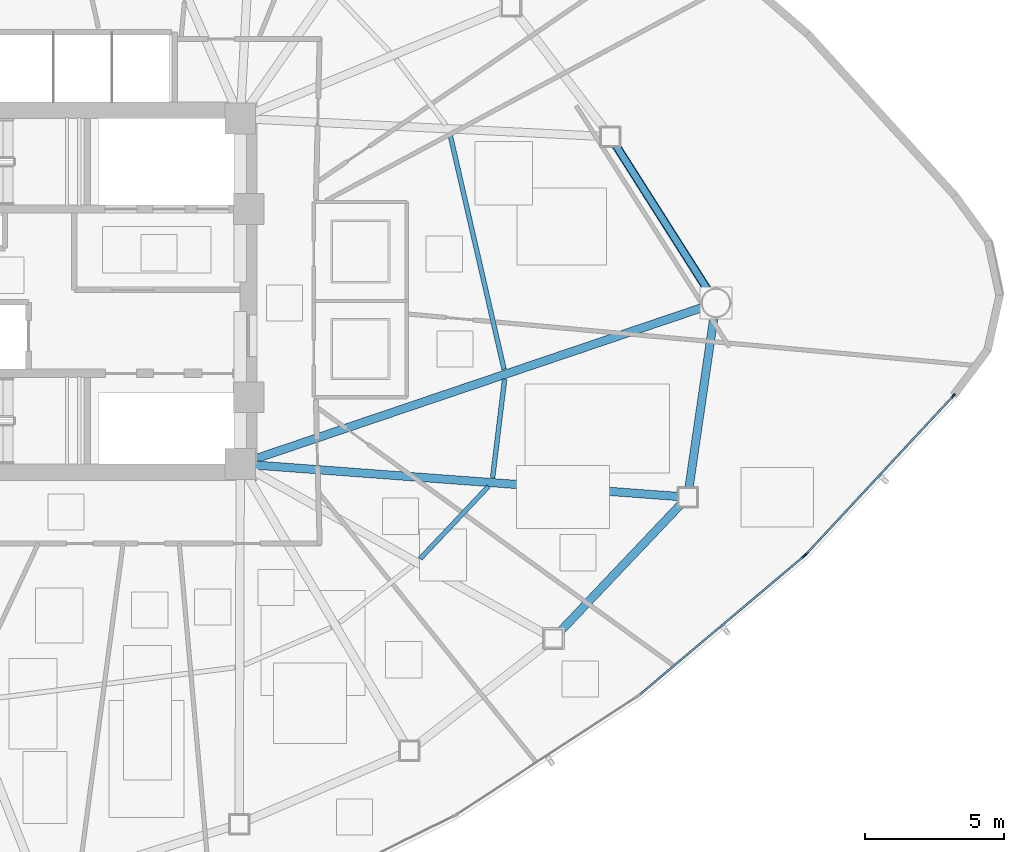
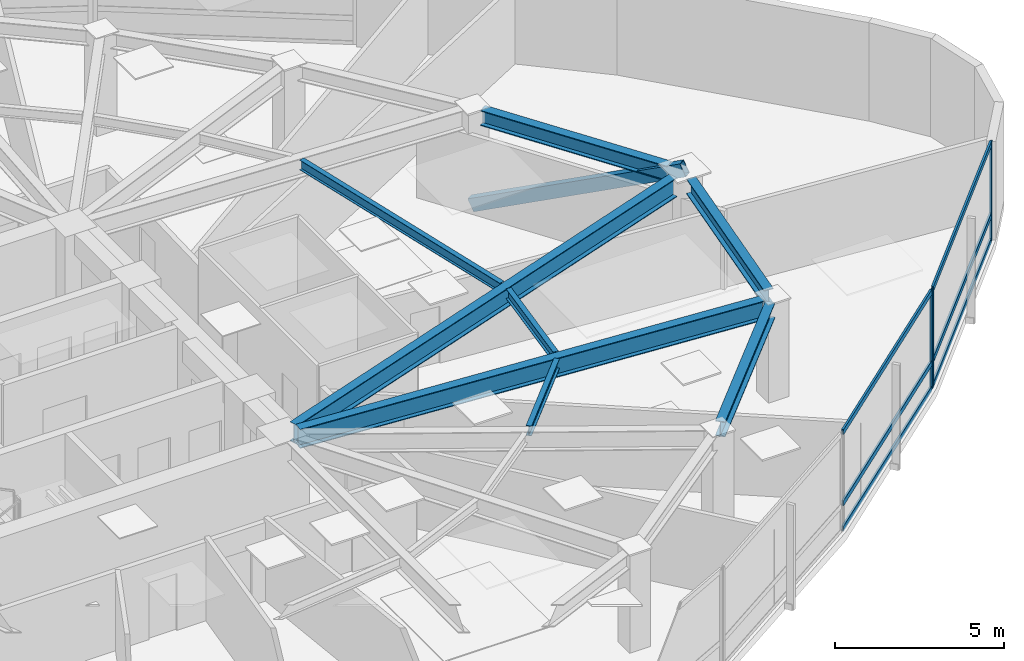
# One storey, part 6 of 18: 10 members, 8 beams, 2 elements without a shape of their own.
"""IFC4 building model written with IfcOpenShell, lengths in metres."""

import ifcopenshell
import ifcopenshell.guid

model = None  # the IFC model being written
_history = None  # IfcOwnerHistory: only IFC2X3 demands one
_inside = {}  # id of a spatial element -> (the spatial element, [elements in it])
_under = {}  # id of a project, library or spatial element -> (it, [spatial elements below it])
_declared = {}  # id of a project -> (the project, [libraries it declares])
_typed = {}  # id of a type object -> (the type object, [elements of that type])
_made_of = {}  # id of a material, layer set ... -> (it, [elements and type objects made of it])


def new_model(schema):
    """Start an empty IFC model of exactly this schema.

    Asked for "IFC4X3", IfcOpenShell would pick the latest addendum, in which some entities
    have other attributes; the version numbers below select the first issue.
    IFC2X3 requires an IfcOwnerHistory on every rooted entity: one is made here for all.
    """
    global model, _history
    if schema == "IFC4X3":
        model = ifcopenshell.file(schema_version=(4, 3, 0, 0))
    else:
        model = ifcopenshell.file(schema=schema)
    _inside.clear()
    _under.clear()
    _declared.clear()
    _typed.clear()
    _made_of.clear()
    _history = None
    if model.schema == "IFC2X3":
        org = make("IfcOrganization", Name="unknown")
        user = make(
            "IfcPersonAndOrganization",
            ThePerson=make("IfcPerson", FamilyName="unknown"),
            TheOrganization=org,
        )
        app = make(
            "IfcApplication",
            ApplicationDeveloper=org,
            Version="unknown",
            ApplicationFullName="unknown",
            ApplicationIdentifier="unknown",
        )
        _history = make(
            "IfcOwnerHistory",
            OwningUser=user,
            OwningApplication=app,
            ChangeAction="ADDED",
            CreationDate=0,
        )
    return model


def make(cls, **values):
    """One entity of the class cls with the attributes given. An attribute that is None is left unset."""
    return model.create_entity(
        cls, **{name: value for name, value in values.items() if value is not None}
    )


def rooted(cls, **values):
    """An entity with a GlobalId (a new one), such as an element, a storey or a relation."""
    return make(cls, GlobalId=ifcopenshell.guid.new(), OwnerHistory=_history, **values)


def si_unit(unit_type, name, prefix=None):
    """IfcSIUnit, for example si_unit("LENGTHUNIT", "METRE", prefix="MILLI")."""
    return make("IfcSIUnit", UnitType=unit_type, Prefix=prefix, Name=name)


def assignment(units):
    """IfcUnitAssignment: the units of a project."""
    return None if units is None else make("IfcUnitAssignment", Units=units)


def point(xyz):
    """IfcCartesianPoint."""
    return None if xyz is None else make("IfcCartesianPoint", Coordinates=xyz)


def direction(xyz):
    """IfcDirection."""
    return None if xyz is None else make("IfcDirection", DirectionRatios=xyz)


def frame(location, z_axis=None, x_axis=None):
    """IfcAxis2Placement3D, a coordinate frame: its origin and axes. An axis left out is left unset."""
    return make(
        "IfcAxis2Placement3D",
        Location=point(location),
        Axis=direction(z_axis),
        RefDirection=direction(x_axis),
    )


def frame_2d(location, x_axis=None):
    """IfcAxis2Placement2D, a coordinate frame in the plane: its origin and x axis."""
    return make(
        "IfcAxis2Placement2D", Location=point(location), RefDirection=direction(x_axis)
    )


def origin():
    """The frame at (0, 0, 0) with its axes left unset."""
    return frame((0.0, 0.0, 0.0))


def origin_2d():
    """The frame at (0, 0) in the plane with its x axis left unset."""
    return frame_2d((0.0, 0.0))


def place(relative_to, where):
    """IfcLocalPlacement: puts the frame where relative to a parent placement (None: the world)."""
    return make(
        "IfcLocalPlacement", PlacementRelTo=relative_to, RelativePlacement=where
    )


def context(
    kind, dimensions, precision=None, world=None, true_north=None, identifier=None
):
    """IfcGeometricRepresentationContext, for example the 3D "Model" context."""
    return make(
        "IfcGeometricRepresentationContext",
        ContextIdentifier=identifier,
        ContextType=kind,
        CoordinateSpaceDimension=dimensions,
        Precision=precision,
        WorldCoordinateSystem=world,
        TrueNorth=true_north,
    )


def subcontext(parent, identifier, kind, view, scale=None):
    """IfcGeometricRepresentationSubContext, for example "Body" below "Model"."""
    return make(
        "IfcGeometricRepresentationSubContext",
        ContextIdentifier=identifier,
        ContextType=kind,
        ParentContext=parent,
        TargetScale=scale,
        TargetView=view,
    )


def project(units=None, contexts=None):
    """IfcProject with its units and contexts."""
    return rooted(
        "IfcProject",
        Name="project",
        RepresentationContexts=contexts,
        UnitsInContext=assignment(units),
    )


def spatial(cls, under=None, at=None, **own):
    """A site, building, storey or space (cls), placed at a placement, below another one or the project."""
    s = rooted(cls, ObjectPlacement=at, **own)
    if under is not None:
        _under.setdefault(under.id(), (under, []))[1].append(s)
    return s


def profile(cls, at=None, kind="AREA", **sizes):
    """A parametric profile (cls). Its sizes go by their IFC names, for example OverallWidth=200.0."""
    return make(cls, ProfileType=kind, Position=at, **sizes)


def hollow_rectangle(**sizes):
    """IfcRectangleHollowProfileDef."""
    return profile("IfcRectangleHollowProfileDef", **sizes)


def i_section(**sizes):
    """IfcIShapeProfileDef."""
    return profile("IfcIShapeProfileDef", **sizes)


def extrude(swept, where, along, depth):
    """IfcExtrudedAreaSolid: the profile swept, set in the frame where, extruded along a direction by depth."""
    return make(
        "IfcExtrudedAreaSolid",
        SweptArea=swept,
        Position=where,
        ExtrudedDirection=direction(along),
        Depth=depth,
    )


def shape(context_of_items, identifier, shape_type, items):
    """IfcShapeRepresentation: the items that make up one representation, for example the "Body"."""
    return make(
        "IfcShapeRepresentation",
        ContextOfItems=context_of_items,
        RepresentationIdentifier=identifier,
        RepresentationType=shape_type,
        Items=items,
    )


def source(mapping_origin, context_of_items, identifier, shape_type, items):
    """IfcRepresentationMap: a shape defined once, which mapped items show again and again."""
    return make(
        "IfcRepresentationMap",
        MappingOrigin=mapping_origin,
        MappedRepresentation=shape(context_of_items, identifier, shape_type, items),
    )


def transform(
    local_origin,
    x_axis=None,
    y_axis=None,
    z_axis=None,
    scale=None,
    scale2=None,
    scale3=None,
    uniform=True,
):
    """IfcCartesianTransformationOperator3D, or its non-uniform kind. x_axis, y_axis, z_axis: its Axis1, 2, 3."""
    if uniform:
        return make(
            "IfcCartesianTransformationOperator3D",
            Axis1=direction(x_axis),
            Axis2=direction(y_axis),
            LocalOrigin=point(local_origin),
            Scale=scale,
            Axis3=direction(z_axis),
        )
    return make(
        "IfcCartesianTransformationOperator3DnonUniform",
        Axis1=direction(x_axis),
        Axis2=direction(y_axis),
        LocalOrigin=point(local_origin),
        Scale=scale,
        Axis3=direction(z_axis),
        Scale2=scale2,
        Scale3=scale3,
    )


def mapped(mapping_source, mapping_target):
    """IfcMappedItem: shows the shape of a source again, moved by a transform."""
    return make(
        "IfcMappedItem", MappingSource=mapping_source, MappingTarget=mapping_target
    )


def material(Name=None, Category=None):
    """IfcMaterial."""
    return make("IfcMaterial", Name=Name, Category=Category)


def layer(
    of_material, thickness, ventilated=None, Name=None, Category=None, Priority=None
):
    """IfcMaterialLayer: one layer of a wall or slab, of a material (None: an air gap)."""
    return make(
        "IfcMaterialLayer",
        Material=of_material,
        LayerThickness=thickness,
        IsVentilated=ventilated,
        Name=Name,
        Category=Category,
        Priority=Priority,
    )


def layer_set(layers, Name=None):
    """IfcMaterialLayerSet."""
    return make("IfcMaterialLayerSet", MaterialLayers=layers, LayerSetName=Name)


def material_profile(
    of_material, cross_section, Name=None, Category=None, Priority=None
):
    """IfcMaterialProfile: a cross section and its material."""
    return make(
        "IfcMaterialProfile",
        Name=Name,
        Material=of_material,
        Profile=cross_section,
        Priority=Priority,
        Category=Category,
    )


def profile_set(profiles, Name=None, composite=None):
    """IfcMaterialProfileSet."""
    return make(
        "IfcMaterialProfileSet",
        Name=Name,
        MaterialProfiles=profiles,
        CompositeProfile=composite,
    )


def made_of(thing, what):
    """Note that an element or type object is made of a material, layer set ...; save() writes the relation."""
    if what is not None:
        _made_of.setdefault(what.id(), (what, []))[1].append(thing)
    return thing


def type_object(cls, material=None, **own):
    """A type object (cls), such as IfcWallType, which elements share."""
    return made_of(rooted(cls, **own), material)


def type_shapes(of_type, sources):
    """Give a type object the sources (RepresentationMaps) that its elements show as mapped items."""
    of_type.RepresentationMaps = sources


def element(
    cls,
    number,
    at=None,
    inside=None,
    cuts=None,
    type_object=None,
    material=None,
    context=None,
    identifier="Body",
    shape_type=None,
    held_by="IfcProductDefinitionShape",
    body=None,
    shapes=None,
    **own,
):
    """One element of the class cls, such as IfcWall. Its Tag is "e" and its number.

    at: its placement. inside: the storey or other place that contains it. cuts: it is an
    opening in that element (IfcRelVoidsElement). A single representation is given by context,
    identifier, shape_type and body (its items); several are given by shapes. held_by: the class
    of the entity that holds the representations. save() writes the other relations.
    """
    e = rooted(cls, Tag="e%d" % number, ObjectPlacement=at, **own)
    if body is not None:
        shapes = [shape(context, identifier, shape_type, body)]
    if shapes is not None:
        e.Representation = make(held_by, Representations=shapes)
    if inside is not None:
        _inside.setdefault(inside.id(), (inside, []))[1].append(e)
    if cuts is not None:
        rooted(
            "IfcRelVoidsElement", RelatingBuildingElement=cuts, RelatedOpeningElement=e
        )
    if type_object is not None:
        _typed.setdefault(type_object.id(), (type_object, []))[1].append(e)
    return made_of(e, material)


def aggregate(whole, parts):
    """IfcRelAggregates: a whole, such as a stair, and the parts it consists of."""
    return rooted("IfcRelAggregates", RelatingObject=whole, RelatedObjects=parts)


def save(model, path):
    """Write the relations noted so far, then the file.

    IfcRelAggregates (storeys below a building ...), IfcRelContainedInSpatialStructure (elements
    in a storey), IfcRelDefinesByType, IfcRelAssociatesMaterial and IfcRelDeclares: one each for
    every whole, place, type object, material and project.
    """
    for whole, parts in _under.values():
        aggregate(whole, parts)
    for where, things in _inside.values():
        rooted(
            "IfcRelContainedInSpatialStructure",
            RelatedElements=things,
            RelatingStructure=where,
        )
    for kind, things in _typed.values():
        rooted("IfcRelDefinesByType", RelatedObjects=things, RelatingType=kind)
    for what, things in _made_of.values():
        rooted("IfcRelAssociatesMaterial", RelatedObjects=things, RelatingMaterial=what)
    for by, libraries in _declared.values():
        rooted("IfcRelDeclares", RelatingContext=by, RelatedDefinitions=libraries)
    model.write(path)


model = new_model("IFC4")

# Units and contexts
model_context = context("Model", 3, precision=1e-05, world=origin(), true_north=direction((0.0, 1.0)))
body_context = subcontext(model_context, "Body", "Model", "MODEL_VIEW")
ifc_project = project(units=[si_unit("LENGTHUNIT", "METRE"), si_unit("AREAUNIT", "SQUARE_METRE"), si_unit("VOLUMEUNIT", "CUBIC_METRE"), si_unit("PLANEANGLEUNIT", "RADIAN"), si_unit("MASSUNIT", "GRAM", prefix="KILO")], contexts=[model_context])

# Site, building, storey
site_placement = place(None, origin())
site = spatial("IfcSite", under=ifc_project, at=site_placement, CompositionType="ELEMENT")
building_placement = place(site_placement, origin())
building = spatial("IfcBuilding", under=site, at=building_placement, Name="Tavelor Broadcast Tower", CompositionType="ELEMENT")
storey_placement = place(building_placement, frame((0.0, 0.0, 157.949951171875)))
storey = spatial("IfcBuildingStorey", under=building, at=storey_placement, Name="L37", CompositionType="ELEMENT", Elevation=157.949951171875)

# Beams
ifc_material_1 = material(Name="Steel S355", Category="steel")
ifc_material_profile_1 = material_profile(ifc_material_1, i_section(OverallWidth=0.169921875, OverallDepth=0.360107421875, WebThickness=0.008056640625, FlangeThickness=0.0126953125, at=origin_2d()), Name="IPE 360")
ifc_profile_set_1 = profile_set([ifc_material_profile_1], Name="Steel S355")
beam_type_1 = type_object("IfcBeamType", Name="Composite Floor Joist T3 IPE 360", PredefinedType="JOIST", material=ifc_profile_set_1)
beam_1_placement = place(storey_placement, frame((63.05859375, 35.39990234375, 3.3701171875), z_axis=(0.686806065531, 0.726840717317, 0.0), x_axis=(-0.726840717317, 0.686806065531, 0.0)))
element("IfcBeam", 1, at=beam_1_placement, inside=storey, type_object=beam_type_1, Name="L37 Secondary Composite Floor Joist 11", PredefinedType="JOIST", context=body_context, shape_type="SweptSolid", body=[
    extrude(i_section(OverallWidth=0.169921875, OverallDepth=0.360107421875, WebThickness=0.008056640625, FlangeThickness=0.0126953125, at=origin_2d()), origin(), (0.0, 0.0, 1.0), 3.573486328125),
])
beam_2_placement = place(storey_placement, frame((65.6591796875, 38.30859375, 3.3701171875), z_axis=(0.120874566199, 0.992667788964, 0.0), x_axis=(-0.992667788964, 0.120874566199, 0.0)))
element("IfcBeam", 2, at=beam_2_placement, inside=storey, type_object=beam_type_1, Name="L37 Secondary Composite Floor Joist 12", PredefinedType="JOIST", context=body_context, shape_type="SweptSolid", body=[
    extrude(i_section(OverallWidth=0.169921875, OverallDepth=0.360107421875, WebThickness=0.008056640625, FlangeThickness=0.0126953125, at=origin_2d()), origin(), (0.0, 0.0, 1.0), 3.556884765625),
])
beam_3_placement = place(storey_placement, frame((66.0703125, 42.1953125, 3.3701171875), z_axis=(-0.224119909946, 0.974561576282, 0.0), x_axis=(-0.974561576282, -0.224119909946, 0.0)))
element("IfcBeam", 3, at=beam_3_placement, inside=storey, type_object=beam_type_1, Name="L37 Secondary Composite Floor Joist 13", PredefinedType="JOIST", context=body_context, shape_type="SweptSolid", body=[
    extrude(i_section(OverallWidth=0.169921875, OverallDepth=0.360107421875, WebThickness=0.008056640625, FlangeThickness=0.0126953125, at=origin_2d()), origin(), (0.0, 0.0, 1.0), 8.6796875),
])
ifc_material_profile_2 = material_profile(ifc_material_1, i_section(OverallWidth=0.300048828125, OverallDepth=0.550048828125, WebThickness=0.014892578125, FlangeThickness=0.029052734375, at=origin_2d()), Name="HEB 550")
ifc_profile_set_2 = profile_set([ifc_material_profile_2], Name="Steel S355")
beam_type_2 = type_object("IfcBeamType", Name="Perimeter Spandrel Beam T3 HEB 550", PredefinedType="SPANDREL", material=ifc_profile_set_2)
beam_4_placement = place(storey_placement, frame((68.073486328125, 32.775390625, 3.275146484375), z_axis=(0.688378130541, 0.72535201757, 0.0), x_axis=(-0.72535201757, 0.688378130541, 0.0)))
element("IfcBeam", 4, at=beam_4_placement, inside=storey, type_object=beam_type_2, Name="L37 Framed-Tube Ring Spandrel 11", PredefinedType="SPANDREL", context=body_context, shape_type="SweptSolid", body=[
    extrude(i_section(OverallWidth=0.300048828125, OverallDepth=0.550048828125, WebThickness=0.014892578125, FlangeThickness=0.029052734375, at=origin_2d()), origin(), (0.0, 0.0, 1.0), 6.32568359375),
])
beam_5_placement = place(storey_placement, frame((72.707763671875, 37.93994140625, 3.275146484375), z_axis=(0.144294035731, 0.989534856007, 0.0), x_axis=(-0.989534856007, 0.144294035731, 0.0)))
element("IfcBeam", 5, at=beam_5_placement, inside=storey, type_object=beam_type_2, Name="L37 Framed-Tube Ring Spandrel 12", PredefinedType="SPANDREL", context=body_context, shape_type="SweptSolid", body=[
    extrude(i_section(OverallWidth=0.300048828125, OverallDepth=0.550048828125, WebThickness=0.014892578125, FlangeThickness=0.029052734375, at=origin_2d()), origin(), (0.0, 0.0, 1.0), 6.19775390625),
])
beam_6_placement = place(storey_placement, frame((73.4013671875, 45.01171875, 3.275146484375), z_axis=(-0.536283466807, 0.844037939449, 0.0), x_axis=(-0.844037939449, -0.536283466807, 0.0)))
element("IfcBeam", 6, at=beam_6_placement, inside=storey, type_object=beam_type_2, Name="L37 Framed-Tube Ring Spandrel 13", PredefinedType="SPANDREL", context=body_context, shape_type="SweptSolid", body=[
    extrude(i_section(OverallWidth=0.300048828125, OverallDepth=0.550048828125, WebThickness=0.014892578125, FlangeThickness=0.029052734375, at=origin_2d()), origin(), (0.0, 0.0, 1.0), 6.21875),
])

# Member
ifc_material_profile_3 = material_profile(ifc_material_1, hollow_rectangle(XDim=0.25, YDim=0.449951171875, WallThickness=0.02001953125, at=origin_2d()), Name="RHS 450x250x20")
ifc_profile_set_3 = profile_set([ifc_material_profile_3], Name="Steel S355")
member_type_1 = type_object("IfcMemberType", Name="Perimeter Tube Brace T3 RHS 450x250x20", PredefinedType="BRACE", material=ifc_profile_set_3)
member_1_placement = place(storey_placement, frame((69.885986328125, 50.544189453125, 0.0), z_axis=(0.479238755177, -0.754205232397, 0.448892729904), x_axis=(0.844021198089, 0.536309814544, 0.0)))
element("IfcMember", 7, at=member_1_placement, inside=storey, type_object=member_type_1, Name="L37 Corner Tube Diagonal Brace 3", PredefinedType="BRACE", context=body_context, shape_type="SweptSolid", body=[
    extrude(hollow_rectangle(XDim=0.25, YDim=0.449951171875, WallThickness=0.02001953125, at=origin_2d()), origin(), (0.0, 0.0, 1.0), 7.908447265625),
])

# Beams
ifc_material_profile_4 = material_profile(ifc_material_1, i_section(OverallWidth=0.300048828125, OverallDepth=0.68994140625, WebThickness=0.014404296875, FlangeThickness=0.027099609375, at=origin_2d()), Name="HEA 700")
ifc_profile_set_4 = profile_set([ifc_material_profile_4], Name="Steel S355")
beam_type_3 = type_object("IfcBeamType", Name="Radial Floor Girder T3 HEA 700", PredefinedType="BEAM", material=ifc_profile_set_4)
beam_7_placement = place(storey_placement, frame((57.126708984375, 38.760986328125, 3.205078125), z_axis=(0.997253617312, -0.074062289721, 0.0), x_axis=(0.074062289721, 0.997253617312, 0.0)))
element("IfcBeam", 8, at=beam_7_placement, inside=storey, type_object=beam_type_3, Name="L37 Radial Primary Floor Girder 12", PredefinedType="BEAM", context=body_context, shape_type="SweptSolid", body=[
    extrude(i_section(OverallWidth=0.300048828125, OverallDepth=0.68994140625, WebThickness=0.014404296875, FlangeThickness=0.027099609375, at=origin_2d()), origin(), (0.0, 0.0, 1.0), 15.2392578125),
])
beam_8_placement = place(storey_placement, frame((57.10009765625, 38.96923828125, 3.205078125), z_axis=(0.947217379582, 0.32059200835, 0.0), x_axis=(-0.32059200835, 0.947217379582, 0.0)))
element("IfcBeam", 9, at=beam_8_placement, inside=storey, type_object=beam_type_3, Name="L37 Radial Primary Floor Girder 13", PredefinedType="BEAM", context=body_context, shape_type="SweptSolid", body=[
    extrude(i_section(OverallWidth=0.300048828125, OverallDepth=0.68994140625, WebThickness=0.014404296875, FlangeThickness=0.027099609375, at=origin_2d()), origin(), (0.0, 0.0, 1.0), 16.987548828125),
])

# Curtain wall, member
ifc_material_2 = material(Name="Architectural Anodized Aluminium", Category="aluminium")
ifc_layer = layer(ifc_material_2, 0.18994140625)
ifc_layer_set = layer_set([ifc_layer], Name="Architectural Anodized Aluminium")
curtain_wall_type = type_object("IfcCurtainWallType", Name="Tower Mid-Zone Acoustic Curtain Wall CW03", PredefinedType="NOTDEFINED", material=ifc_layer_set)
curtain_wall_1_placement = place(storey_placement, origin())
curtain_wall_1 = element("IfcCurtainWall", 10, at=curtain_wall_1_placement, inside=storey, type_object=curtain_wall_type, Name="L37 Curtain Wall CW03 Run 391", PredefinedType="NOTDEFINED")
ifc_material_profile_5 = material_profile(ifc_material_2, hollow_rectangle(XDim=0.068115234375, YDim=0.18994140625, WallThickness=0.02197265625, at=origin_2d()), Name="RHS 68x190x22")
ifc_profile_set_5 = profile_set([ifc_material_profile_5], Name="Architectural Anodized Aluminium")
member_type_2 = type_object("IfcMemberType", Name="CW03 Extruded Aluminium Mullion 68x190", PredefinedType="MULLION", material=ifc_profile_set_5)
shared_shape_1 = source(origin(), body_context, "Body", "SweptSolid", [
    extrude(hollow_rectangle(XDim=0.068115234375, YDim=0.18994140625, WallThickness=0.02197265625, at=origin_2d()), origin(), (0.0, 0.0, 1.0), 3.550048828125),
])
type_shapes(member_type_2, [shared_shape_1])
member_2_placement = place(storey_placement, frame((76.839599609375, 35.494384765625, 0.0), z_axis=(0.0, 0.0, 1.0), x_axis=(-0.644461996266, 0.76463634191, 0.0)))
member_2 = element("IfcMember", 11, at=member_2_placement, type_object=member_type_2, Name="CW03 mullion 2", PredefinedType="MULLION", context=body_context, shape_type="MappedRepresentation", body=[
    mapped(shared_shape_1, transform((0.0, 0.0, 0.0), scale=1.0)),
])

# Curtain wall, members
curtain_wall_2_placement = place(storey_placement, origin())
curtain_wall_2 = element("IfcCurtainWall", 12, at=curtain_wall_2_placement, inside=storey, type_object=curtain_wall_type, Name="L37 Curtain Wall CW03 Run 392", PredefinedType="NOTDEFINED")
member_3_placement = place(storey_placement, frame((76.910400390625, 35.56201171875, 0.0), z_axis=(0.0, 0.0, 1.0), x_axis=(-0.73226132779, 0.681023749823, 0.0)))
member_3 = element("IfcMember", 13, at=member_3_placement, type_object=member_type_2, Name="CW03 mullion 1", PredefinedType="MULLION", context=body_context, shape_type="MappedRepresentation", body=[
    mapped(shared_shape_1, transform((0.0, 0.0, 0.0), scale=1.0)),
])
member_4_placement = place(storey_placement, frame((82.18994140625, 41.23876953125, 0.0), z_axis=(0.0, 0.0, 1.0), x_axis=(-0.73226132779, 0.681023749823, 0.0)))
member_4 = element("IfcMember", 14, at=member_4_placement, type_object=member_type_2, Name="CW03 mullion 2", PredefinedType="MULLION", context=body_context, shape_type="MappedRepresentation", body=[
    mapped(shared_shape_1, transform((0.0, 0.0, 0.0), scale=1.0)),
])

# Member
ifc_material_profile_6 = material_profile(ifc_material_2, hollow_rectangle(XDim=0.068115234375, YDim=0.18994140625, WallThickness=0.02197265625, at=origin_2d()), Name="RHS 68x190x22")
ifc_profile_set_6 = profile_set([ifc_material_profile_6], Name="Architectural Anodized Aluminium")
member_type_3 = type_object("IfcMemberType", Name="CW03 Extruded Aluminium Transom 68x190", PredefinedType="USERDEFINED", material=ifc_profile_set_6)
shared_shape_2 = source(origin(), body_context, "Body", "SweptSolid", [
    extrude(hollow_rectangle(XDim=0.068115234375, YDim=0.18994140625, WallThickness=0.02197265625, at=origin_2d()), origin(), (0.0, 0.0, 1.0), 7.66845703125),
])
member_5_placement = place(storey_placement, frame((70.949951171875, 30.530517578125, 0.033935546875), z_axis=(0.764655205309, 0.6444396147, 0.0), x_axis=(-0.6444396147, 0.764655205309, 0.0)))
member_5 = element("IfcMember", 15, at=member_5_placement, type_object=member_type_3, Name="CW03 transom 1.1", ObjectType="TRANSOM", PredefinedType="USERDEFINED", context=body_context, shape_type="MappedRepresentation", body=[
    mapped(shared_shape_2, transform((0.0, 0.0, 0.0), scale=1.0)),
])

member_6_placement = place(storey_placement, frame((70.949951171875, 30.530517578125, 0.949951171875), z_axis=(0.764655205309, 0.6444396147, 0.0), x_axis=(-0.6444396147, 0.764655205309, 0.0)))
member_6 = element("IfcMember", 16, at=member_6_placement, type_object=member_type_3, Name="CW03 transom 1.2", ObjectType="TRANSOM", PredefinedType="USERDEFINED", context=body_context, shape_type="MappedRepresentation", body=[
    mapped(shared_shape_2, transform((0.0, 0.0, 0.0), scale=1.0)),
])

member_7_placement = place(storey_placement, frame((70.949951171875, 30.530517578125, 3.51611328125), z_axis=(0.764655205309, 0.6444396147, 0.0), x_axis=(-0.6444396147, 0.764655205309, 0.0)))
member_7 = element("IfcMember", 17, at=member_7_placement, type_object=member_type_3, Name="CW03 transom 1.3", ObjectType="TRANSOM", PredefinedType="USERDEFINED", context=body_context, shape_type="MappedRepresentation", body=[
    mapped(shared_shape_2, transform((0.0, 0.0, 0.0), scale=1.0)),
])

aggregate(curtain_wall_1, [member_2, member_5, member_6, member_7])

shared_shape_3 = source(origin(), body_context, "Body", "SweptSolid", [
    extrude(hollow_rectangle(XDim=0.068115234375, YDim=0.18994140625, WallThickness=0.02197265625, at=origin_2d()), origin(), (0.0, 0.0, 1.0), 7.6845703125),
])
type_shapes(member_type_3, [shared_shape_2, shared_shape_3])
member_8_placement = place(storey_placement, frame((76.93359375, 35.5869140625, 0.033935546875), z_axis=(0.681035810859, 0.7322501105, 0.0), x_axis=(-0.7322501105, 0.681035810859, 0.0)))
member_8 = element("IfcMember", 18, at=member_8_placement, type_object=member_type_3, Name="CW03 transom 1.1", ObjectType="TRANSOM", PredefinedType="USERDEFINED", context=body_context, shape_type="MappedRepresentation", body=[
    mapped(shared_shape_3, transform((0.0, 0.0, 0.0), scale=1.0)),
])

member_9_placement = place(storey_placement, frame((76.93359375, 35.5869140625, 0.949951171875), z_axis=(0.681035810859, 0.7322501105, 0.0), x_axis=(-0.7322501105, 0.681035810859, 0.0)))
member_9 = element("IfcMember", 19, at=member_9_placement, type_object=member_type_3, Name="CW03 transom 1.2", ObjectType="TRANSOM", PredefinedType="USERDEFINED", context=body_context, shape_type="MappedRepresentation", body=[
    mapped(shared_shape_3, transform((0.0, 0.0, 0.0), scale=1.0)),
])

member_10_placement = place(storey_placement, frame((76.93359375, 35.5869140625, 3.51611328125), z_axis=(0.681035810859, 0.7322501105, 0.0), x_axis=(-0.7322501105, 0.681035810859, 0.0)))
member_10 = element("IfcMember", 20, at=member_10_placement, type_object=member_type_3, Name="CW03 transom 1.3", ObjectType="TRANSOM", PredefinedType="USERDEFINED", context=body_context, shape_type="MappedRepresentation", body=[
    mapped(shared_shape_3, transform((0.0, 0.0, 0.0), scale=1.0)),
])

aggregate(curtain_wall_2, [member_3, member_4, member_8, member_9, member_10])

save(model, "model.ifc")
